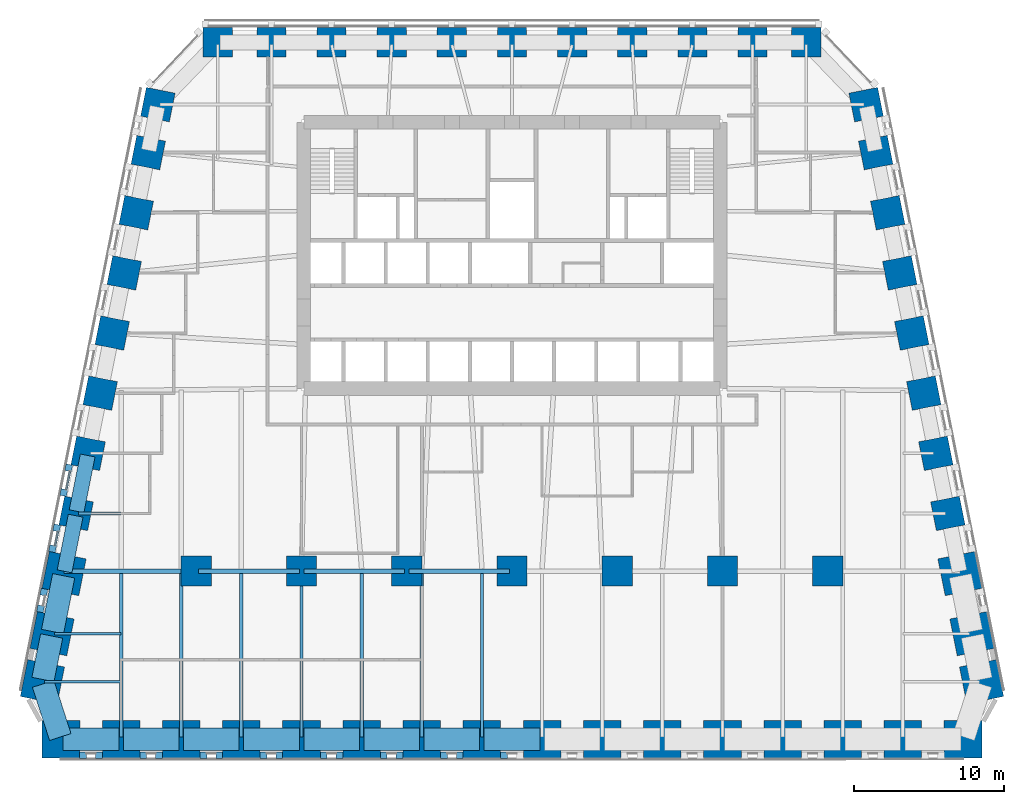
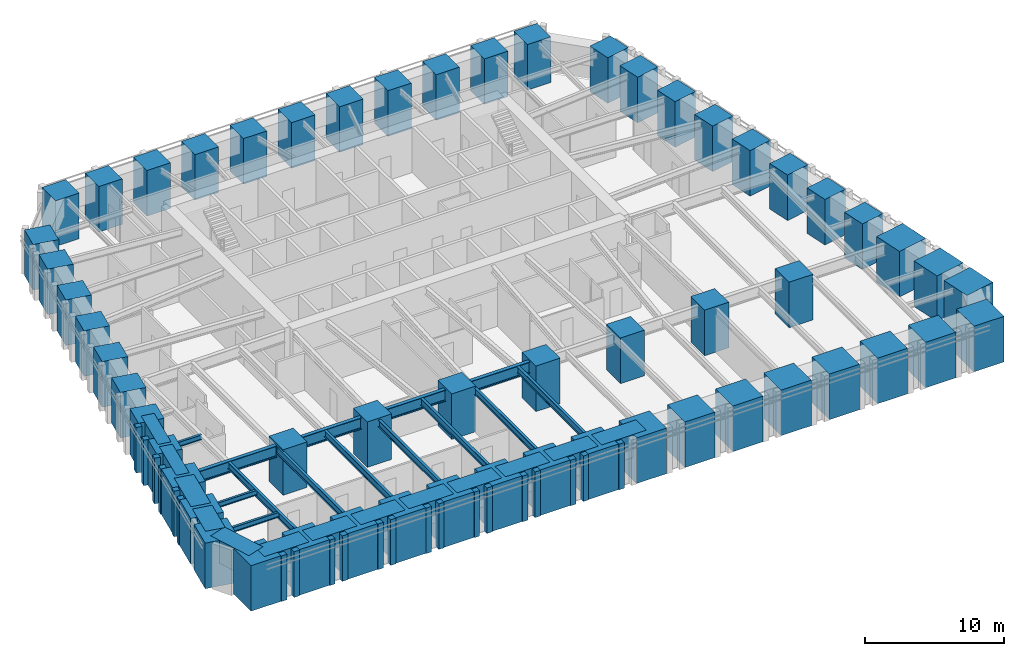
# One storey, part 1 of 16: 56 columns, 27 beams, 23 members, 11 elements without a shape of their own.
"""IFC4 building model written with IfcOpenShell, lengths in metres."""

from ifc_helpers import new_model, si_unit, direction, frame, origin, origin_2d, place, context, subcontext, project, spatial, rectangle, i_section, extrude, material, material_profile, profile_set, type_object, element, aggregate, save


model = new_model("IFC4")

# Units and contexts
model_context = context("Model", 3, precision=1e-05, world=origin(), true_north=direction((0.0, 1.0)))
body_context = subcontext(model_context, "Body", "Model", "MODEL_VIEW")
ifc_project = project(units=[si_unit("LENGTHUNIT", "METRE"), si_unit("AREAUNIT", "SQUARE_METRE"), si_unit("VOLUMEUNIT", "CUBIC_METRE"), si_unit("PLANEANGLEUNIT", "RADIAN"), si_unit("MASSUNIT", "GRAM", prefix="KILO")], contexts=[model_context])

# Site, building, storey
site_placement = place(None, origin())
site = spatial("IfcSite", under=ifc_project, at=site_placement, CompositionType="ELEMENT")
building_placement = place(site_placement, origin())
building = spatial("IfcBuilding", under=site, at=building_placement, Name="Isbrekke Arena Tower", CompositionType="ELEMENT")
storey_placement = place(building_placement, frame((0.0, 0.0, 52.0)))
storey = spatial("IfcBuildingStorey", under=building, at=storey_placement, Name="L10", CompositionType="ELEMENT", Elevation=52.0)

# Columns
ifc_material_1 = material(Name="Concrete B90 (C90/105)", Category="concrete")
ifc_material_profile_1 = material_profile(ifc_material_1, rectangle(XDim=2.0, YDim=2.0, at=origin_2d()), Name="RC 2000x2000")
ifc_profile_set_1 = profile_set([ifc_material_profile_1], Name="Concrete B90 (C90/105)")
column_type_1 = type_object("IfcColumnType", Name="C11 RC 2000 x 2000", PredefinedType="COLUMN", material=ifc_profile_set_1)
for number, where, z_axis, x_axis, name in (
    (1, (-21.0, -6.0, 0.0), (0.0, 0.0, 1.0), (1.0, 0.0, 0.0), "C11 I01"),
    (2, (-14.0, -6.0, 0.0), (0.0, 0.0, 1.0), (1.0, 0.0, 0.0), "C11 I02"),
    (3, (-7.0, -6.0, 0.0), (0.0, 0.0, 1.0), (1.0, 0.0, 0.0), "C11 I03"),
    (4, (0.0, -6.0, 0.0), (0.0, 0.0, 1.0), (1.0, 0.0, 0.0), "C11 I04"),
    (5, (7.0, -6.0, 0.0), (0.0, 0.0, 1.0), (1.0, 0.0, 0.0), "C11 I05"),
    (6, (14.0, -6.0, 0.0), (0.0, 0.0, 1.0), (1.0, 0.0, 0.0), "C11 I06"),
    (7, (21.0, -6.0, 0.0), (0.0, 0.0, 1.0), (1.0, 0.0, 0.0), "C11 I07"),
):
    element("IfcColumn", number, at=place(storey_placement, frame(where, z_axis=z_axis, x_axis=x_axis)), inside=storey, type_object=column_type_1, Name=name, PredefinedType="COLUMN", context=body_context, shape_type="SweptSolid", body=[
        extrude(rectangle(XDim=2.0, YDim=2.0, at=origin_2d()), origin(), (0.0, 0.0, 1.0), 4.0),
    ])
ifc_material_2 = material(Name="Concrete B90 (C90/105)", Category="concrete")
ifc_material_profile_2 = material_profile(ifc_material_2, rectangle(XDim=1.949951171875, YDim=1.949951171875, at=origin_2d()), Name="RC 1950x1950")
ifc_profile_set_2 = profile_set([ifc_material_profile_2], Name="Concrete B90 (C90/105)")
column_type_2 = type_object("IfcColumnType", Name="C2 RC 1950 x 1950", PredefinedType="COLUMN", material=ifc_profile_set_2)
for number, where, z_axis, x_axis, name in (
    (8, (28.990966796875, -2.161865234375, 0.0), (0.0, 0.0, 1.0), (-0.196116135138, 0.980580675691, 0.0), "C2 E04"),
    (9, (28.19091796875, 1.838134765625, 0.0), (0.0, 0.0, 1.0), (-0.196116135138, 0.980580675691, 0.0), "C2 E05"),
    (10, (27.39111328125, 5.838134765625, 0.0), (0.0, 0.0, 1.0), (-0.196116135138, 0.980580675691, 0.0), "C2 E06"),
    (11, (26.591064453125, 9.838134765625, 0.0), (0.0, 0.0, 1.0), (-0.196116135138, 0.980580675691, 0.0), "C2 E07"),
    (12, (25.791015625, 13.838134765625, 0.0), (0.0, 0.0, 1.0), (-0.196116135138, 0.980580675691, 0.0), "C2 E08"),
    (13, (24.990966796875, 17.838134765625, 0.0), (0.0, 0.0, 1.0), (-0.196116135138, 0.980580675691, 0.0), "C2 E09"),
    (14, (24.19091796875, 21.838134765625, 0.0), (0.0, 0.0, 1.0), (-0.196116135138, 0.980580675691, 0.0), "C2 E10"),
    (15, (23.552734375, 25.029296875, 0.0), (0.0, 0.0, 1.0), (-0.196116135138, 0.980580675691, 0.0), "C2 E11"),
    (16, (19.574951171875, 29.175048828125, 0.0), (0.0, 0.0, 1.0), (-1.0, 0.0, 0.0), "C2 N01"),
    (17, (16.0, 29.175048828125, 0.0), (0.0, 0.0, 1.0), (-1.0, 0.0, 0.0), "C2 N02"),
    (18, (12.0, 29.175048828125, 0.0), (0.0, 0.0, 1.0), (-1.0, 0.0, 0.0), "C2 N03"),
    (19, (8.0, 29.175048828125, 0.0), (0.0, 0.0, 1.0), (-1.0, 0.0, 0.0), "C2 N04"),
    (20, (4.0, 29.175048828125, 0.0), (0.0, 0.0, 1.0), (-1.0, 0.0, 0.0), "C2 N05"),
    (21, (0.0, 29.175048828125, 0.0), (0.0, 0.0, 1.0), (-1.0, 0.0, 0.0), "C2 N06"),
    (22, (-4.0, 29.175048828125, 0.0), (0.0, 0.0, 1.0), (-1.0, 0.0, 0.0), "C2 N07"),
    (23, (-8.0, 29.175048828125, 0.0), (0.0, 0.0, 1.0), (-1.0, 0.0, 0.0), "C2 N08"),
    (24, (-12.0, 29.175048828125, 0.0), (0.0, 0.0, 1.0), (-1.0, 0.0, 0.0), "C2 N09"),
    (25, (-16.0, 29.175048828125, 0.0), (0.0, 0.0, 1.0), (-1.0, 0.0, 0.0), "C2 N10"),
    (26, (-19.574951171875, 29.175048828125, 0.0), (0.0, 0.0, 1.0), (-1.0, 0.0, 0.0), "C2 N11"),
    (27, (-23.552734375, 25.029296875, 0.0), (0.0, 0.0, 1.0), (-0.196116135138, -0.980580675691, 0.0), "C2 W01"),
    (28, (-24.19091796875, 21.838134765625, 0.0), (0.0, 0.0, 1.0), (-0.196116135138, -0.980580675691, 0.0), "C2 W02"),
    (29, (-24.990966796875, 17.838134765625, 0.0), (0.0, 0.0, 1.0), (-0.196116135138, -0.980580675691, 0.0), "C2 W03"),
    (30, (-25.791015625, 13.838134765625, 0.0), (0.0, 0.0, 1.0), (-0.196116135138, -0.980580675691, 0.0), "C2 W04"),
    (31, (-26.591064453125, 9.838134765625, 0.0), (0.0, 0.0, 1.0), (-0.196116135138, -0.980580675691, 0.0), "C2 W05"),
    (32, (-27.39111328125, 5.838134765625, 0.0), (0.0, 0.0, 1.0), (-0.196116135138, -0.980580675691, 0.0), "C2 W06"),
    (33, (-28.19091796875, 1.838134765625, 0.0), (0.0, 0.0, 1.0), (-0.196116135138, -0.980580675691, 0.0), "C2 W07"),
    (34, (-28.990966796875, -2.161865234375, 0.0), (0.0, 0.0, 1.0), (-0.196116135138, -0.980580675691, 0.0), "C2 W08"),
):
    element("IfcColumn", number, at=place(storey_placement, frame(where, z_axis=z_axis, x_axis=x_axis)), inside=storey, type_object=column_type_2, Name=name, PredefinedType="COLUMN", context=body_context, shape_type="SweptSolid", body=[
        extrude(rectangle(XDim=1.949951171875, YDim=1.949951171875, at=origin_2d()), origin(), (0.0, 0.0, 1.0), 4.0),
    ])
ifc_material_3 = material(Name="Concrete B90 (C90/105)", Category="concrete")
ifc_material_profile_3 = material_profile(ifc_material_3, rectangle(XDim=2.5, YDim=2.5, at=origin_2d()), Name="RC 2500x2500")
ifc_profile_set_3 = profile_set([ifc_material_profile_3], Name="Concrete B90 (C90/105)")
column_type_3 = type_object("IfcColumnType", Name="C20 RC 2500 x 2500", PredefinedType="COLUMN", material=ifc_profile_set_3)
for number, where, z_axis, x_axis, name in (
    (35, (-30.0, -17.175048828125, 0.0), (0.0, 0.0, 1.0), (1.0, 0.0, 0.0), "C20 S01"),
    (36, (-26.0, -17.175048828125, 0.0), (0.0, 0.0, 1.0), (1.0, 0.0, 0.0), "C20 S02"),
    (37, (-22.0, -17.175048828125, 0.0), (0.0, 0.0, 1.0), (1.0, 0.0, 0.0), "C20 S03"),
    (38, (-18.0, -17.175048828125, 0.0), (0.0, 0.0, 1.0), (1.0, 0.0, 0.0), "C20 S04"),
    (39, (-14.0, -17.175048828125, 0.0), (0.0, 0.0, 1.0), (1.0, 0.0, 0.0), "C20 S05"),
    (40, (-10.0, -17.175048828125, 0.0), (0.0, 0.0, 1.0), (1.0, 0.0, 0.0), "C20 S06"),
    (41, (-6.0, -17.175048828125, 0.0), (0.0, 0.0, 1.0), (1.0, 0.0, 0.0), "C20 S07"),
    (42, (-2.0, -17.175048828125, 0.0), (0.0, 0.0, 1.0), (1.0, 0.0, 0.0), "C20 S08"),
    (43, (2.0, -17.175048828125, 0.0), (0.0, 0.0, 1.0), (1.0, 0.0, 0.0), "C20 S09"),
    (44, (6.0, -17.175048828125, 0.0), (0.0, 0.0, 1.0), (1.0, 0.0, 0.0), "C20 S10"),
    (45, (10.0, -17.175048828125, 0.0), (0.0, 0.0, 1.0), (1.0, 0.0, 0.0), "C20 S11"),
    (46, (14.0, -17.175048828125, 0.0), (0.0, 0.0, 1.0), (1.0, 0.0, 0.0), "C20 S12"),
    (47, (18.0, -17.175048828125, 0.0), (0.0, 0.0, 1.0), (1.0, 0.0, 0.0), "C20 S13"),
    (48, (22.0, -17.175048828125, 0.0), (0.0, 0.0, 1.0), (1.0, 0.0, 0.0), "C20 S14"),
    (49, (26.0, -17.175048828125, 0.0), (0.0, 0.0, 1.0), (1.0, 0.0, 0.0), "C20 S15"),
    (50, (30.0, -17.175048828125, 0.0), (0.0, 0.0, 1.0), (1.0, 0.0, 0.0), "C20 S16"),
    (51, (31.229248046875, -13.352783203125, 0.0), (0.0, 0.0, 1.0), (-0.196116135138, 0.980580675691, 0.0), "C20 E01"),
    (52, (30.591064453125, -10.161865234375, 0.0), (0.0, 0.0, 1.0), (-0.196116135138, 0.980580675691, 0.0), "C20 E02"),
    (53, (29.791015625, -6.161865234375, 0.0), (0.0, 0.0, 1.0), (-0.196116135138, 0.980580675691, 0.0), "C20 E03"),
    (54, (-29.791015625, -6.161865234375, 0.0), (0.0, 0.0, 1.0), (-0.196116135138, -0.980580675691, 0.0), "C20 W09"),
    (55, (-30.591064453125, -10.161865234375, 0.0), (0.0, 0.0, 1.0), (-0.196116135138, -0.980580675691, 0.0), "C20 W10"),
    (56, (-31.229248046875, -13.352783203125, 0.0), (0.0, 0.0, 1.0), (-0.196116135138, -0.980580675691, 0.0), "C20 W11"),
):
    element("IfcColumn", number, at=place(storey_placement, frame(where, z_axis=z_axis, x_axis=x_axis)), inside=storey, type_object=column_type_3, Name=name, PredefinedType="COLUMN", context=body_context, shape_type="SweptSolid", body=[
        extrude(rectangle(XDim=2.5, YDim=2.5, at=origin_2d()), origin(), (0.0, 0.0, 1.0), 4.0),
    ])

# Beams
ifc_material_4 = material(Name="Steel S355", Category="steel")
ifc_material_profile_4 = material_profile(ifc_material_4, i_section(OverallWidth=0.219970703125, OverallDepth=0.60009765625, WebThickness=0.011962890625, FlangeThickness=0.01904296875, FilletRadius=0.02392578125, at=origin_2d()), Name="IPE 600")
ifc_profile_set_4 = profile_set([ifc_material_profile_4], Name="Steel S355")
beam_type_1 = type_object("IfcBeamType", Name="B1 IPE 600", PredefinedType="BEAM", material=ifc_profile_set_4)
for number, where, z_axis, x_axis, name in (
    (57, (-26.0, -17.02490234375, 3.550048828125), (0.0, 1.0, 0.0), (-1.0, 0.0, 0.0), "B1 beam S-S02 L10"),
    (58, (-22.0, -17.02490234375, 3.550048828125), (0.0, 1.0, 0.0), (-1.0, 0.0, 0.0), "B1 beam S-S03 L10"),
    (59, (-18.0, -17.02490234375, 3.550048828125), (0.0, 1.0, 0.0), (-1.0, 0.0, 0.0), "B1 beam S-S04 L10"),
):
    element("IfcBeam", number, at=place(storey_placement, frame(where, z_axis=z_axis, x_axis=x_axis)), inside=storey, type_object=beam_type_1, Name=name, PredefinedType="BEAM", context=body_context, shape_type="SweptSolid", body=[
        extrude(i_section(OverallWidth=0.219970703125, OverallDepth=0.60009765625, WebThickness=0.011962890625, FlangeThickness=0.01904296875, FilletRadius=0.02392578125, at=origin_2d()), origin(), (0.0, 0.0, 1.0), 10.8740234375),
    ])
beam_1_placement = place(storey_placement, frame((-14.0, -17.02490234375, 3.550048828125), z_axis=(0.0, 1.0, 0.0), x_axis=(-1.0, 0.0, 0.0)))
element("IfcBeam", 60, at=beam_1_placement, inside=storey, type_object=beam_type_1, Name="B1 beam S-S05 L10", PredefinedType="BEAM", context=body_context, shape_type="SweptSolid", body=[
    extrude(i_section(OverallWidth=0.219970703125, OverallDepth=0.60009765625, WebThickness=0.011962890625, FlangeThickness=0.01904296875, FilletRadius=0.02392578125, at=origin_2d()), origin(), (0.0, 0.0, 1.0), 10.875),
])
for number, where, z_axis, x_axis, name in (
    (61, (-10.0, -17.02490234375, 3.550048828125), (0.0, 1.0, 0.0), (-1.0, 0.0, 0.0), "B1 beam S-S06 L10"),
    (62, (-6.0, -17.02490234375, 3.550048828125), (0.0, 1.0, 0.0), (-1.0, 0.0, 0.0), "B1 beam S-S07 L10"),
    (63, (-2.0, -17.02490234375, 3.550048828125), (0.0, 1.0, 0.0), (-1.0, 0.0, 0.0), "B1 beam S-S08 L10"),
):
    element("IfcBeam", number, at=place(storey_placement, frame(where, z_axis=z_axis, x_axis=x_axis)), inside=storey, type_object=beam_type_1, Name=name, PredefinedType="BEAM", context=body_context, shape_type="SweptSolid", body=[
        extrude(i_section(OverallWidth=0.219970703125, OverallDepth=0.60009765625, WebThickness=0.011962890625, FlangeThickness=0.01904296875, FilletRadius=0.02392578125, at=origin_2d()), origin(), (0.0, 0.0, 1.0), 10.8740234375),
    ])
ifc_material_5 = material(Name="Steel S355", Category="steel")
ifc_material_profile_5 = material_profile(ifc_material_5, i_section(OverallWidth=0.18994140625, OverallDepth=0.449951171875, WebThickness=0.009521484375, FlangeThickness=0.0146484375, FilletRadius=0.02099609375, at=origin_2d()), Name="IPE 450")
ifc_profile_set_5 = profile_set([ifc_material_profile_5], Name="Steel S355")
beam_type_2 = type_object("IfcBeamType", Name="B2 IPE 450", PredefinedType="BEAM", material=ifc_profile_set_5)
beam_2_placement = place(storey_placement, frame((-28.841064453125, -2.161865234375, 3.625), z_axis=(1.0, 0.0, 0.0), x_axis=(0.0, 1.0, 0.0)))
element("IfcBeam", 64, at=beam_2_placement, inside=storey, type_object=beam_type_2, Name="B2 beam E-W08 L10", PredefinedType="BEAM", context=body_context, shape_type="SweptSolid", body=[
    extrude(i_section(OverallWidth=0.18994140625, OverallDepth=0.449951171875, WebThickness=0.009521484375, FlangeThickness=0.0146484375, FilletRadius=0.02099609375, at=origin_2d()), origin(), (0.0, 0.0, 1.0), 2.841064453125),
])
beam_3_placement = place(storey_placement, frame((-30.44091796875, -10.161865234375, 3.625), z_axis=(1.0, 0.0, 0.0), x_axis=(0.0, 1.0, 0.0)))
element("IfcBeam", 65, at=beam_3_placement, inside=storey, type_object=beam_type_2, Name="B2 beam E-W10 L10", PredefinedType="BEAM", context=body_context, shape_type="SweptSolid", body=[
    extrude(i_section(OverallWidth=0.18994140625, OverallDepth=0.449951171875, WebThickness=0.009521484375, FlangeThickness=0.0146484375, FilletRadius=0.02099609375, at=origin_2d()), origin(), (0.0, 0.0, 1.0), 4.44091796875),
])
beam_4_placement = place(storey_placement, frame((-31.079345703125, -13.352783203125, 3.625), z_axis=(1.0, 0.0, 0.0), x_axis=(0.0, 1.0, 0.0)))
element("IfcBeam", 66, at=beam_4_placement, inside=storey, type_object=beam_type_2, Name="B2 beam E-W11 L10", PredefinedType="BEAM", context=body_context, shape_type="SweptSolid", body=[
    extrude(i_section(OverallWidth=0.18994140625, OverallDepth=0.449951171875, WebThickness=0.009521484375, FlangeThickness=0.0146484375, FilletRadius=0.02099609375, at=origin_2d()), origin(), (0.0, 0.0, 1.0), 5.079345703125),
])

# Curtain wall, members
ifc_material_6 = material(Name="Glazed aluminium curtain wall", Category="aluminium")
curtain_wall_type = type_object("IfcCurtainWallType", Name="CWL TOWER CURTAIN WALL LOW ZONE", PredefinedType="USERDEFINED", material=ifc_material_6)
curtain_wall_1_placement = place(storey_placement, origin())
curtain_wall_1 = element("IfcCurtainWall", 67, at=curtain_wall_1_placement, inside=storey, type_object=curtain_wall_type, Name="CWL curtain wall L10-S", ObjectType="TOWER CURTAIN WALL LOW ZONE", PredefinedType="USERDEFINED")
ifc_material_7 = material(Name="Aluminium mullion, pale brick slip cladding", Category="masonry")
ifc_material_profile_6 = material_profile(ifc_material_7, rectangle(XDim=0.449951171875, YDim=0.449951171875, at=origin_2d()), Name="PIER 450X450")
ifc_profile_set_6 = profile_set([ifc_material_profile_6], Name="Aluminium mullion, pale brick slip cladding")
member_type_1 = type_object("IfcMemberType", Name="CWL-M PIER MULLION 450 x 450", PredefinedType="MULLION", material=ifc_profile_set_6)
member_1_placement = place(storey_placement, frame((-28.527099609375, -18.25, 0.0), z_axis=(0.0, 0.0, 1.0), x_axis=(1.0, 0.0, 0.0)))
member_1 = element("IfcMember", 68, at=member_1_placement, type_object=member_type_1, Name="CWL-M mullion 1", PredefinedType="MULLION", context=body_context, shape_type="SweptSolid", body=[
    extrude(rectangle(XDim=0.449951171875, YDim=0.449951171875, at=origin_2d()), origin(), (0.0, 0.0, 1.0), 4.0),
])
member_2_placement = place(storey_placement, frame((-27.47509765625, -18.25, 0.0), z_axis=(0.0, 0.0, 1.0), x_axis=(1.0, 0.0, 0.0)))
member_2 = element("IfcMember", 69, at=member_2_placement, type_object=member_type_1, Name="CWL-M mullion 2", PredefinedType="MULLION", context=body_context, shape_type="SweptSolid", body=[
    extrude(rectangle(XDim=0.449951171875, YDim=0.449951171875, at=origin_2d()), origin(), (0.0, 0.0, 1.0), 4.0),
])
aggregate(curtain_wall_1, [member_1, member_2])

curtain_wall_2_placement = place(storey_placement, origin())
curtain_wall_2 = element("IfcCurtainWall", 70, at=curtain_wall_2_placement, inside=storey, type_object=curtain_wall_type, Name="CWL curtain wall L10-S3", ObjectType="TOWER CURTAIN WALL LOW ZONE", PredefinedType="USERDEFINED")
member_3_placement = place(storey_placement, frame((-24.52490234375, -18.25, 0.0), z_axis=(0.0, 0.0, 1.0), x_axis=(1.0, 0.0, 0.0)))
member_3 = element("IfcMember", 71, at=member_3_placement, type_object=member_type_1, Name="CWL-M mullion 1", PredefinedType="MULLION", context=body_context, shape_type="SweptSolid", body=[
    extrude(rectangle(XDim=0.449951171875, YDim=0.449951171875, at=origin_2d()), origin(), (0.0, 0.0, 1.0), 4.0),
])
member_4_placement = place(storey_placement, frame((-23.47509765625, -18.25, 0.0), z_axis=(0.0, 0.0, 1.0), x_axis=(1.0, 0.0, 0.0)))
member_4 = element("IfcMember", 72, at=member_4_placement, type_object=member_type_1, Name="CWL-M mullion 2", PredefinedType="MULLION", context=body_context, shape_type="SweptSolid", body=[
    extrude(rectangle(XDim=0.449951171875, YDim=0.449951171875, at=origin_2d()), origin(), (0.0, 0.0, 1.0), 4.0),
])
aggregate(curtain_wall_2, [member_3, member_4])

curtain_wall_3_placement = place(storey_placement, origin())
curtain_wall_3 = element("IfcCurtainWall", 73, at=curtain_wall_3_placement, inside=storey, type_object=curtain_wall_type, Name="CWL curtain wall L10-S5", ObjectType="TOWER CURTAIN WALL LOW ZONE", PredefinedType="USERDEFINED")
member_5_placement = place(storey_placement, frame((-20.52490234375, -18.25, 0.0), z_axis=(0.0, 0.0, 1.0), x_axis=(1.0, 0.0, 0.0)))
member_5 = element("IfcMember", 74, at=member_5_placement, type_object=member_type_1, Name="CWL-M mullion 1", PredefinedType="MULLION", context=body_context, shape_type="SweptSolid", body=[
    extrude(rectangle(XDim=0.449951171875, YDim=0.449951171875, at=origin_2d()), origin(), (0.0, 0.0, 1.0), 4.0),
])
member_6_placement = place(storey_placement, frame((-19.47509765625, -18.25, 0.0), z_axis=(0.0, 0.0, 1.0), x_axis=(1.0, 0.0, 0.0)))
member_6 = element("IfcMember", 75, at=member_6_placement, type_object=member_type_1, Name="CWL-M mullion 2", PredefinedType="MULLION", context=body_context, shape_type="SweptSolid", body=[
    extrude(rectangle(XDim=0.449951171875, YDim=0.449951171875, at=origin_2d()), origin(), (0.0, 0.0, 1.0), 4.0),
])
aggregate(curtain_wall_3, [member_5, member_6])

curtain_wall_4_placement = place(storey_placement, origin())
curtain_wall_4 = element("IfcCurtainWall", 76, at=curtain_wall_4_placement, inside=storey, type_object=curtain_wall_type, Name="CWL curtain wall L10-S7", ObjectType="TOWER CURTAIN WALL LOW ZONE", PredefinedType="USERDEFINED")
member_7_placement = place(storey_placement, frame((-16.52490234375, -18.25, 0.0), z_axis=(0.0, 0.0, 1.0), x_axis=(1.0, 0.0, 0.0)))
member_7 = element("IfcMember", 77, at=member_7_placement, type_object=member_type_1, Name="CWL-M mullion 1", PredefinedType="MULLION", context=body_context, shape_type="SweptSolid", body=[
    extrude(rectangle(XDim=0.449951171875, YDim=0.449951171875, at=origin_2d()), origin(), (0.0, 0.0, 1.0), 4.0),
])
member_8_placement = place(storey_placement, frame((-15.47509765625, -18.25, 0.0), z_axis=(0.0, 0.0, 1.0), x_axis=(1.0, 0.0, 0.0)))
member_8 = element("IfcMember", 78, at=member_8_placement, type_object=member_type_1, Name="CWL-M mullion 2", PredefinedType="MULLION", context=body_context, shape_type="SweptSolid", body=[
    extrude(rectangle(XDim=0.449951171875, YDim=0.449951171875, at=origin_2d()), origin(), (0.0, 0.0, 1.0), 4.0),
])
aggregate(curtain_wall_4, [member_7, member_8])

curtain_wall_5_placement = place(storey_placement, origin())
curtain_wall_5 = element("IfcCurtainWall", 79, at=curtain_wall_5_placement, inside=storey, type_object=curtain_wall_type, Name="CWL curtain wall L10-S9", ObjectType="TOWER CURTAIN WALL LOW ZONE", PredefinedType="USERDEFINED")
member_9_placement = place(storey_placement, frame((-12.52490234375, -18.25, 0.0), z_axis=(0.0, 0.0, 1.0), x_axis=(1.0, 0.0, 0.0)))
member_9 = element("IfcMember", 80, at=member_9_placement, type_object=member_type_1, Name="CWL-M mullion 1", PredefinedType="MULLION", context=body_context, shape_type="SweptSolid", body=[
    extrude(rectangle(XDim=0.449951171875, YDim=0.449951171875, at=origin_2d()), origin(), (0.0, 0.0, 1.0), 4.0),
])
member_10_placement = place(storey_placement, frame((-11.47509765625, -18.25, 0.0), z_axis=(0.0, 0.0, 1.0), x_axis=(1.0, 0.0, 0.0)))
member_10 = element("IfcMember", 81, at=member_10_placement, type_object=member_type_1, Name="CWL-M mullion 2", PredefinedType="MULLION", context=body_context, shape_type="SweptSolid", body=[
    extrude(rectangle(XDim=0.449951171875, YDim=0.449951171875, at=origin_2d()), origin(), (0.0, 0.0, 1.0), 4.0),
])
aggregate(curtain_wall_5, [member_9, member_10])

curtain_wall_6_placement = place(storey_placement, origin())
curtain_wall_6 = element("IfcCurtainWall", 82, at=curtain_wall_6_placement, inside=storey, type_object=curtain_wall_type, Name="CWL curtain wall L10-S11", ObjectType="TOWER CURTAIN WALL LOW ZONE", PredefinedType="USERDEFINED")
member_11_placement = place(storey_placement, frame((-8.52490234375, -18.25, 0.0), z_axis=(0.0, 0.0, 1.0), x_axis=(1.0, 0.0, 0.0)))
member_11 = element("IfcMember", 83, at=member_11_placement, type_object=member_type_1, Name="CWL-M mullion 1", PredefinedType="MULLION", context=body_context, shape_type="SweptSolid", body=[
    extrude(rectangle(XDim=0.449951171875, YDim=0.449951171875, at=origin_2d()), origin(), (0.0, 0.0, 1.0), 4.0),
])
member_12_placement = place(storey_placement, frame((-7.47509765625, -18.25, 0.0), z_axis=(0.0, 0.0, 1.0), x_axis=(1.0, 0.0, 0.0)))
member_12 = element("IfcMember", 84, at=member_12_placement, type_object=member_type_1, Name="CWL-M mullion 2", PredefinedType="MULLION", context=body_context, shape_type="SweptSolid", body=[
    extrude(rectangle(XDim=0.449951171875, YDim=0.449951171875, at=origin_2d()), origin(), (0.0, 0.0, 1.0), 4.0),
])
aggregate(curtain_wall_6, [member_11, member_12])

curtain_wall_7_placement = place(storey_placement, origin())
curtain_wall_7 = element("IfcCurtainWall", 85, at=curtain_wall_7_placement, inside=storey, type_object=curtain_wall_type, Name="CWL curtain wall L10-S13", ObjectType="TOWER CURTAIN WALL LOW ZONE", PredefinedType="USERDEFINED")
member_13_placement = place(storey_placement, frame((-4.52490234375, -18.25, 0.0), z_axis=(0.0, 0.0, 1.0), x_axis=(1.0, 0.0, 0.0)))
member_13 = element("IfcMember", 86, at=member_13_placement, type_object=member_type_1, Name="CWL-M mullion 1", PredefinedType="MULLION", context=body_context, shape_type="SweptSolid", body=[
    extrude(rectangle(XDim=0.449951171875, YDim=0.449951171875, at=origin_2d()), origin(), (0.0, 0.0, 1.0), 4.0),
])
member_14_placement = place(storey_placement, frame((-3.47509765625, -18.25, 0.0), z_axis=(0.0, 0.0, 1.0), x_axis=(1.0, 0.0, 0.0)))
member_14 = element("IfcMember", 87, at=member_14_placement, type_object=member_type_1, Name="CWL-M mullion 2", PredefinedType="MULLION", context=body_context, shape_type="SweptSolid", body=[
    extrude(rectangle(XDim=0.449951171875, YDim=0.449951171875, at=origin_2d()), origin(), (0.0, 0.0, 1.0), 4.0),
])
aggregate(curtain_wall_7, [member_13, member_14])

# Curtain wall, member
curtain_wall_8_placement = place(storey_placement, origin())
curtain_wall_8 = element("IfcCurtainWall", 88, at=curtain_wall_8_placement, inside=storey, type_object=curtain_wall_type, Name="CWL curtain wall L10-S15", ObjectType="TOWER CURTAIN WALL LOW ZONE", PredefinedType="USERDEFINED")
member_15_placement = place(storey_placement, frame((-0.52490234375, -18.25, 0.0), z_axis=(0.0, 0.0, 1.0), x_axis=(1.0, 0.0, 0.0)))
member_15 = element("IfcMember", 89, at=member_15_placement, type_object=member_type_1, Name="CWL-M mullion 1", PredefinedType="MULLION", context=body_context, shape_type="SweptSolid", body=[
    extrude(rectangle(XDim=0.449951171875, YDim=0.449951171875, at=origin_2d()), origin(), (0.0, 0.0, 1.0), 4.0),
])
aggregate(curtain_wall_8, [member_15])

# Curtain wall, members
curtain_wall_9_placement = place(storey_placement, origin())
curtain_wall_9 = element("IfcCurtainWall", 90, at=curtain_wall_9_placement, inside=storey, type_object=curtain_wall_type, Name="CWL curtain wall L10-W13", ObjectType="TOWER CURTAIN WALL LOW ZONE", PredefinedType="USERDEFINED")
member_16_placement = place(storey_placement, frame((-29.48046875, 0.872314453125, 0.0), z_axis=(0.0, 0.0, 1.0), x_axis=(-0.196116135138, -0.980580675691, 0.0)))
member_16 = element("IfcMember", 91, at=member_16_placement, type_object=member_type_1, Name="CWL-M mullion 1", PredefinedType="MULLION", context=body_context, shape_type="SweptSolid", body=[
    extrude(rectangle(XDim=0.449951171875, YDim=0.449951171875, at=origin_2d()), origin(), (0.0, 0.0, 1.0), 4.0),
])
member_17_placement = place(storey_placement, frame((-29.809814453125, -0.774169921875, 0.0), z_axis=(0.0, 0.0, 1.0), x_axis=(-0.196116135138, -0.980580675691, 0.0)))
member_17 = element("IfcMember", 92, at=member_17_placement, type_object=member_type_1, Name="CWL-M mullion 2", PredefinedType="MULLION", context=body_context, shape_type="SweptSolid", body=[
    extrude(rectangle(XDim=0.449951171875, YDim=0.449951171875, at=origin_2d()), origin(), (0.0, 0.0, 1.0), 4.0),
])

curtain_wall_10_placement = place(storey_placement, origin())
curtain_wall_10 = element("IfcCurtainWall", 93, at=curtain_wall_10_placement, inside=storey, type_object=curtain_wall_type, Name="CWL curtain wall L10-W15", ObjectType="TOWER CURTAIN WALL LOW ZONE", PredefinedType="USERDEFINED")
member_18_placement = place(storey_placement, frame((-30.280517578125, -3.127685546875, 0.0), z_axis=(0.0, 0.0, 1.0), x_axis=(-0.196116135138, -0.980580675691, 0.0)))
member_18 = element("IfcMember", 94, at=member_18_placement, type_object=member_type_1, Name="CWL-M mullion 1", PredefinedType="MULLION", context=body_context, shape_type="SweptSolid", body=[
    extrude(rectangle(XDim=0.449951171875, YDim=0.449951171875, at=origin_2d()), origin(), (0.0, 0.0, 1.0), 4.0),
])
member_19_placement = place(storey_placement, frame((-30.555908203125, -4.504638671875, 0.0), z_axis=(0.0, 0.0, 1.0), x_axis=(-0.196116135138, -0.980580675691, 0.0)))
member_19 = element("IfcMember", 95, at=member_19_placement, type_object=member_type_1, Name="CWL-M mullion 2", PredefinedType="MULLION", context=body_context, shape_type="SweptSolid", body=[
    extrude(rectangle(XDim=0.449951171875, YDim=0.449951171875, at=origin_2d()), origin(), (0.0, 0.0, 1.0), 4.0),
])

curtain_wall_11_placement = place(storey_placement, origin())
curtain_wall_11 = element("IfcCurtainWall", 96, at=curtain_wall_11_placement, inside=storey, type_object=curtain_wall_type, Name="CWL curtain wall L10-W17", ObjectType="TOWER CURTAIN WALL LOW ZONE", PredefinedType="USERDEFINED")
member_20_placement = place(storey_placement, frame((-31.134521484375, -7.397216796875, 0.0), z_axis=(0.0, 0.0, 1.0), x_axis=(-0.196116135138, -0.980580675691, 0.0)))
member_20 = element("IfcMember", 97, at=member_20_placement, type_object=member_type_1, Name="CWL-M mullion 1", PredefinedType="MULLION", context=body_context, shape_type="SweptSolid", body=[
    extrude(rectangle(XDim=0.449951171875, YDim=0.449951171875, at=origin_2d()), origin(), (0.0, 0.0, 1.0), 4.0),
])
member_21_placement = place(storey_placement, frame((-31.35595703125, -8.504638671875, 0.0), z_axis=(0.0, 0.0, 1.0), x_axis=(-0.196116135138, -0.980580675691, 0.0)))
member_21 = element("IfcMember", 98, at=member_21_placement, type_object=member_type_1, Name="CWL-M mullion 2", PredefinedType="MULLION", context=body_context, shape_type="SweptSolid", body=[
    extrude(rectangle(XDim=0.449951171875, YDim=0.449951171875, at=origin_2d()), origin(), (0.0, 0.0, 1.0), 4.0),
])
aggregate(curtain_wall_11, [member_20, member_21])

# Member
ifc_material_8 = material(Name="Aluminium transom", Category="aluminium")
ifc_material_profile_7 = material_profile(ifc_material_8, rectangle(XDim=0.1201171875, YDim=0.199951171875, at=origin_2d()), Name="TRANSOM 120X200")
ifc_profile_set_7 = profile_set([ifc_material_profile_7], Name="Aluminium transom")
member_type_2 = type_object("IfcMemberType", Name="CWL-T TRANSOM 120 x 200", PredefinedType="USERDEFINED", material=ifc_profile_set_7)
member_22_placement = place(storey_placement, frame((-29.402099609375, 0.627197265625, 3.0), z_axis=(-0.196039741533, -0.980595951317, 0.0), x_axis=(0.980595951317, -0.196039741533, 0.0)))
member_22 = element("IfcMember", 99, at=member_22_placement, type_object=member_type_2, Name="CWL-T transom 1", ObjectType="TRANSOM", PredefinedType="USERDEFINED", context=body_context, shape_type="SweptSolid", body=[
    extrude(rectangle(XDim=0.1201171875, YDim=0.199951171875, at=origin_2d()), origin(), (0.0, 0.0, 1.0), 1.229248046875),
])

aggregate(curtain_wall_9, [member_16, member_17, member_22])

member_23_placement = place(storey_placement, frame((-30.2021484375, -3.372802734375, 3.0), z_axis=(-0.19596853661, -0.980610183844, 0.0), x_axis=(0.980610183844, -0.19596853661, 0.0)))
member_23 = element("IfcMember", 100, at=member_23_placement, type_object=member_type_2, Name="CWL-T transom 1", ObjectType="TRANSOM", PredefinedType="USERDEFINED", context=body_context, shape_type="SweptSolid", body=[
    extrude(rectangle(XDim=0.1201171875, YDim=0.199951171875, at=origin_2d()), origin(), (0.0, 0.0, 1.0), 0.954345703125),
])

aggregate(curtain_wall_10, [member_18, member_19, member_23])

# Beams
ifc_material_9 = material(Name="Steel S355", Category="steel")
ifc_material_profile_8 = material_profile(ifc_material_9, i_section(OverallWidth=0.302001953125, OverallDepth=1.008056640625, WebThickness=0.02099609375, FlangeThickness=0.0400390625, FilletRadius=0.030029296875, at=origin_2d()), Name="HEM 1000")
ifc_profile_set_8 = profile_set([ifc_material_profile_8], Name="Steel S355")
beam_type_3 = type_object("IfcBeamType", Name="G1 HEM 1000", PredefinedType="BEAM", material=ifc_profile_set_8)
beam_5_placement = place(storey_placement, frame((-29.791015625, -6.0, 3.345947265625), z_axis=(1.0, 0.0, 0.0), x_axis=(0.0, 1.0, 0.0)))
element("IfcBeam", 101, at=beam_5_placement, inside=storey, type_object=beam_type_3, Name="G1 beam G1-01 L10", PredefinedType="BEAM", context=body_context, shape_type="SweptSolid", body=[
    extrude(i_section(OverallWidth=0.302001953125, OverallDepth=1.008056640625, WebThickness=0.02099609375, FlangeThickness=0.0400390625, FilletRadius=0.030029296875, at=origin_2d()), origin(), (0.0, 0.0, 1.0), 8.64111328125),
])
for number, where, z_axis, x_axis, name in (
    (102, (-20.85009765625, -6.0, 3.345947265625), (1.0, 0.0, 0.0), (0.0, 1.0, 0.0), "G1 beam G1-02 L10"),
    (103, (-13.85009765625, -6.0, 3.345947265625), (1.0, 0.0, 0.0), (0.0, 1.0, 0.0), "G1 beam G1-03 L10"),
    (104, (-6.85009765625, -6.0, 3.345947265625), (1.0, 0.0, 0.0), (0.0, 1.0, 0.0), "G1 beam G1-04 L10"),
):
    element("IfcBeam", number, at=place(storey_placement, frame(where, z_axis=z_axis, x_axis=x_axis)), inside=storey, type_object=beam_type_3, Name=name, PredefinedType="BEAM", context=body_context, shape_type="SweptSolid", body=[
        extrude(i_section(OverallWidth=0.302001953125, OverallDepth=1.008056640625, WebThickness=0.02099609375, FlangeThickness=0.0400390625, FilletRadius=0.030029296875, at=origin_2d()), origin(), (0.0, 0.0, 1.0), 6.7001953125),
    ])
ifc_material_10 = material(Name="Concrete B90 (C90/105)", Category="concrete")
ifc_material_profile_9 = material_profile(ifc_material_10, rectangle(XDim=1.0, YDim=1.60009765625, at=origin_2d()), Name="RC 1000x1600")
ifc_profile_set_9 = profile_set([ifc_material_profile_9], Name="Concrete B90 (C90/105)")
beam_type_4 = type_object("IfcBeamType", Name="SB1 RC 1000 x 1600", PredefinedType="SPANDREL", material=ifc_profile_set_9)
for number, where, z_axis, x_axis, name in (
    (105, (-28.220458984375, 1.691162109375, 3.199951171875), (-0.196128558387, -0.980578190959, 0.0), (0.980578190959, -0.196128558387, 0.0), "SB1 spandrel W07-W08 L10"),
    (106, (-29.0205078125, -2.308837890625, 3.199951171875), (-0.196128558387, -0.980578190959, 0.0), (0.980578190959, -0.196128558387, 0.0), "SB1 spandrel W08-W09 L10"),
):
    element("IfcBeam", number, at=place(storey_placement, frame(where, z_axis=z_axis, x_axis=x_axis)), inside=storey, type_object=beam_type_4, Name=name, PredefinedType="SPANDREL", context=body_context, shape_type="SweptSolid", body=[
        extrude(rectangle(XDim=1.0, YDim=1.60009765625, at=origin_2d()), origin(), (0.0, 0.0, 1.0), 3.779296875),
    ])
ifc_material_11 = material(Name="Concrete B90 (C90/105)", Category="concrete")
ifc_material_profile_10 = material_profile(ifc_material_11, rectangle(XDim=1.5, YDim=2.0, at=origin_2d()), Name="RC 1500x2000")
ifc_profile_set_10 = profile_set([ifc_material_profile_10], Name="Concrete B90 (C90/105)")
beam_type_5 = type_object("IfcBeamType", Name="SB6 RC 1500 x 2000", PredefinedType="SPANDREL", material=ifc_profile_set_10)
for number, where, z_axis, x_axis, name in (
    (107, (-29.85009765625, -17.175048828125, 3.0), (1.0, 0.0, 0.0), (0.0, 1.0, 0.0), "SB6 spandrel S01-S02 L10"),
    (108, (-25.85009765625, -17.175048828125, 3.0), (1.0, 0.0, 0.0), (0.0, 1.0, 0.0), "SB6 spandrel S02-S03 L10"),
    (109, (-21.85009765625, -17.175048828125, 3.0), (1.0, 0.0, 0.0), (0.0, 1.0, 0.0), "SB6 spandrel S03-S04 L10"),
    (110, (-17.85009765625, -17.175048828125, 3.0), (1.0, 0.0, 0.0), (0.0, 1.0, 0.0), "SB6 spandrel S04-S05 L10"),
    (111, (-13.85009765625, -17.175048828125, 3.0), (1.0, 0.0, 0.0), (0.0, 1.0, 0.0), "SB6 spandrel S05-S06 L10"),
    (112, (-9.85009765625, -17.175048828125, 3.0), (1.0, 0.0, 0.0), (0.0, 1.0, 0.0), "SB6 spandrel S06-S07 L10"),
    (113, (-5.85009765625, -17.175048828125, 3.0), (1.0, 0.0, 0.0), (0.0, 1.0, 0.0), "SB6 spandrel S07-S08 L10"),
    (114, (-1.85009765625, -17.175048828125, 3.0), (1.0, 0.0, 0.0), (0.0, 1.0, 0.0), "SB6 spandrel S08-S09 L10"),
):
    element("IfcBeam", number, at=place(storey_placement, frame(where, z_axis=z_axis, x_axis=x_axis)), inside=storey, type_object=beam_type_5, Name=name, PredefinedType="SPANDREL", context=body_context, shape_type="SweptSolid", body=[
        extrude(rectangle(XDim=1.5, YDim=2.0, at=origin_2d()), origin(), (0.0, 0.0, 1.0), 3.7001953125),
    ])
beam_6_placement = place(storey_placement, frame((-29.820556640625, -6.308837890625, 3.0), z_axis=(-0.1960664412, -0.980590613169, 0.0), x_axis=(0.980590613169, -0.1960664412, 0.0)))
element("IfcBeam", 115, at=beam_6_placement, inside=storey, type_object=beam_type_5, Name="SB6 spandrel W09-W10 L10", PredefinedType="SPANDREL", context=body_context, shape_type="SweptSolid", body=[
    extrude(rectangle(XDim=1.5, YDim=2.0, at=origin_2d()), origin(), (0.0, 0.0, 1.0), 3.779052734375),
])
beam_7_placement = place(storey_placement, frame((-30.620361328125, -10.308837890625, 3.0), z_axis=(-0.196100243168, -0.980583853951, 0.0), x_axis=(0.980583853951, -0.196100243168, 0.0)))
element("IfcBeam", 116, at=beam_7_placement, inside=storey, type_object=beam_type_5, Name="SB6 spandrel W10-W11 L10", PredefinedType="SPANDREL", context=body_context, shape_type="SweptSolid", body=[
    extrude(rectangle(XDim=1.5, YDim=2.0, at=origin_2d()), origin(), (0.0, 0.0, 1.0), 2.954345703125),
])
beam_8_placement = place(storey_placement, frame((-31.183349609375, -13.49560546875, 3.0), z_axis=(0.306175101476, -0.951975213562, 0.0), x_axis=(0.951975213562, 0.306175101476, 0.0)))
element("IfcBeam", 117, at=beam_8_placement, inside=storey, type_object=beam_type_5, Name="SB6 spandrel W11-S01 L10", PredefinedType="SPANDREL", context=body_context, shape_type="SweptSolid", body=[
    extrude(rectangle(XDim=1.5, YDim=2.0, at=origin_2d()), origin(), (0.0, 0.0, 1.0), 3.715087890625),
])

save(model, "model.ifc")
